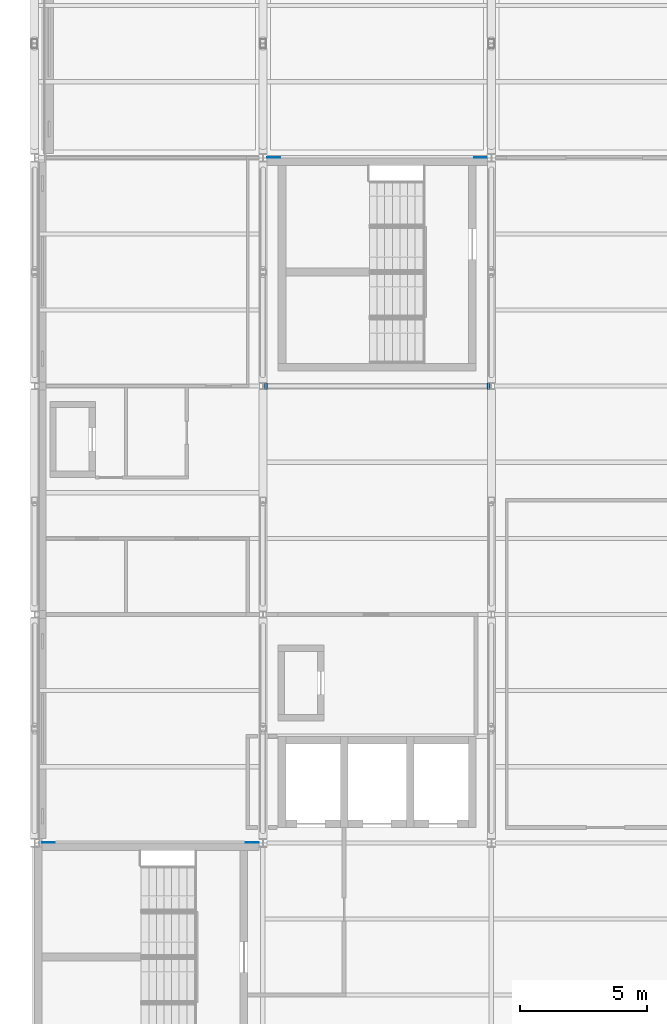
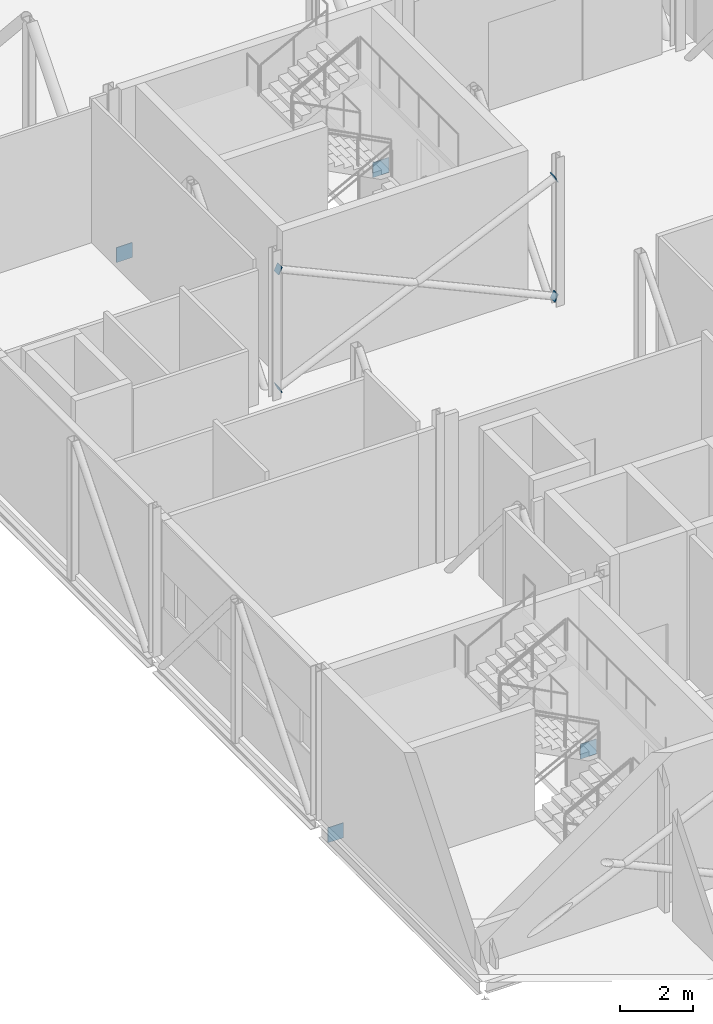
# One storey, part 87 of 94: 8 discrete accessories.
"""IFC4 building model written with IfcOpenShell, lengths in metres."""

from ifc_helpers import new_model, si_unit, direction, frame, origin, place, context, subcontext, project, spatial, polyline, outline, extrude, material, layer, layer_set, type_object, element, save


model = new_model("IFC4")

# Units and contexts
model_context = context("Model", 3, precision=1e-05, world=origin(), true_north=direction((0.0, 1.0)))
body_context = subcontext(model_context, "Body", "Model", "MODEL_VIEW")
ifc_project = project(units=[si_unit("LENGTHUNIT", "METRE"), si_unit("AREAUNIT", "SQUARE_METRE"), si_unit("VOLUMEUNIT", "CUBIC_METRE"), si_unit("PLANEANGLEUNIT", "RADIAN"), si_unit("MASSUNIT", "GRAM", prefix="KILO")], contexts=[model_context])

# Site, building, storey
site_placement = place(None, origin())
site = spatial("IfcSite", under=ifc_project, at=site_placement, CompositionType="ELEMENT")
building_placement = place(site_placement, origin())
building = spatial("IfcBuilding", under=site, at=building_placement, Name="Shorebreak Coast Museum", CompositionType="ELEMENT")
storey_placement = place(building_placement, frame((0.0, 0.0, 31.0)))
storey = spatial("IfcBuildingStorey", under=building, at=storey_placement, Name="L05", CompositionType="ELEMENT", Elevation=31.0)

# Discrete accessories
ifc_material_1 = material(Name="Steel Grade 300", Category="steel")
ifc_layer_1 = layer(ifc_material_1, 0.02490234375)
ifc_layer_set_1 = layer_set([ifc_layer_1], Name="Steel Grade 300")
discrete_accessory_type_1 = type_object("IfcDiscreteAccessoryType", Name="Cast-in plate 500 x 500 x 25", PredefinedType="ANCHORPLATE", material=ifc_layer_set_1)
for number, where, z_axis, x_axis, name in (
    (1, (54.300048828125, 90.0, -0.988525390625), (0.0, -1.0, 0.0), (1.0, 0.0, 0.0), "Cast-in plate Transfer truss TR1 chord C01 end 1"),
    (2, (62.324951171875, 90.0, -0.988525390625), (0.0, -1.0, 0.0), (1.0, 0.0, 0.0), "Cast-in plate Transfer truss TR2 chord C01 end 1"),
    (3, (63.175048828125, 117.0, -0.988525390625), (0.0, -1.0, 0.0), (1.0, 0.0, 0.0), "Cast-in plate Transfer truss TR2 chord C03 end 2"),
    (4, (71.324951171875, 117.0, -0.988525390625), (0.0, -1.0, 0.0), (1.0, 0.0, 0.0), "Cast-in plate Transfer truss TR3 chord C03 end 2"),
):
    element("IfcDiscreteAccessory", number, at=place(storey_placement, frame(where, z_axis=z_axis, x_axis=x_axis)), inside=storey, type_object=discrete_accessory_type_1, Name=name, PredefinedType="ANCHORPLATE", context=body_context, shape_type="SweptSolid", body=[
        extrude(outline(polyline([(0.0, 0.0), (0.5, 0.0), (0.5, 0.5), (0.0, 0.5), (0.0, 0.0)])), origin(), (0.0, 0.0, -1.0), 0.02490234375),
    ])
ifc_material_2 = material(Name="Steel Grade 300", Category="steel")
ifc_layer_2 = layer(ifc_material_2, 0.02490234375)
ifc_layer_set_2 = layer_set([ifc_layer_2], Name="Steel Grade 300")
discrete_accessory_type_2 = type_object("IfcDiscreteAccessoryType", Name="End plate 250 x 250 x 25", PredefinedType="BRACKET", material=ifc_layer_set_2)
discrete_accessory_1_placement = place(storey_placement, frame((63.1787109375, 107.875, 0.186279296875), z_axis=(0.910232642969, 0.0, 0.414097253883), x_axis=(0.0, 1.0, 0.0)))
element("IfcDiscreteAccessory", 5, at=discrete_accessory_1_placement, inside=storey, type_object=discrete_accessory_type_2, Name="End plate X-brace bay 09 L05 diagonal 1 end 1", PredefinedType="BRACKET", context=body_context, shape_type="SweptSolid", body=[
    extrude(outline(polyline([(0.0, 0.0), (0.25, 0.0), (0.25, 0.24997901828457428), (0.0, 0.24997901828457428), (0.0, 0.0)])), origin(), (0.0, 0.0, -1.0), 0.02490234375),
])
discrete_accessory_2_placement = place(storey_placement, frame((71.947509765625, 107.875, 4.17138671875), z_axis=(0.910399891513, 0.0, 0.413729425511), x_axis=(0.0, 1.0, 0.0)))
element("IfcDiscreteAccessory", 6, at=discrete_accessory_2_placement, inside=storey, type_object=discrete_accessory_type_2, Name="End plate X-brace bay 09 L05 diagonal 1 end 2", PredefinedType="BRACKET", context=body_context, shape_type="SweptSolid", body=[
    extrude(outline(polyline([(0.0, 0.0), (0.25, 0.0), (0.25, 0.25020126347607763), (0.0, 0.25020126347607763), (0.0, 0.0)])), origin(), (0.0, 0.0, -1.0), 0.02490234375),
])
discrete_accessory_3_placement = place(storey_placement, frame((71.8212890625, 108.125, 0.186279296875), z_axis=(-0.910232642969, 0.0, 0.414097253883), x_axis=(0.0, -1.0, 0.0)))
element("IfcDiscreteAccessory", 7, at=discrete_accessory_3_placement, inside=storey, type_object=discrete_accessory_type_2, Name="End plate X-brace bay 09 L05 diagonal 2 end 1", PredefinedType="BRACKET", context=body_context, shape_type="SweptSolid", body=[
    extrude(outline(polyline([(0.0, 0.0), (0.25, 0.0), (0.25, 0.24997901828457428), (0.0, 0.24997901828457428), (0.0, 0.0)])), origin(), (0.0, 0.0, -1.0), 0.02490234375),
])
discrete_accessory_4_placement = place(storey_placement, frame((63.052490234375, 108.125, 4.17138671875), z_axis=(-0.910399891513, 0.0, 0.413729425511), x_axis=(0.0, -1.0, 0.0)))
element("IfcDiscreteAccessory", 8, at=discrete_accessory_4_placement, inside=storey, type_object=discrete_accessory_type_2, Name="End plate X-brace bay 09 L05 diagonal 2 end 2", PredefinedType="BRACKET", context=body_context, shape_type="SweptSolid", body=[
    extrude(outline(polyline([(0.0, 0.0), (0.25, 0.0), (0.25, 0.25020126347607763), (0.0, 0.25020126347607763), (0.0, 0.0)])), origin(), (0.0, 0.0, -1.0), 0.02490234375),
])

save(model, "model.ifc")
